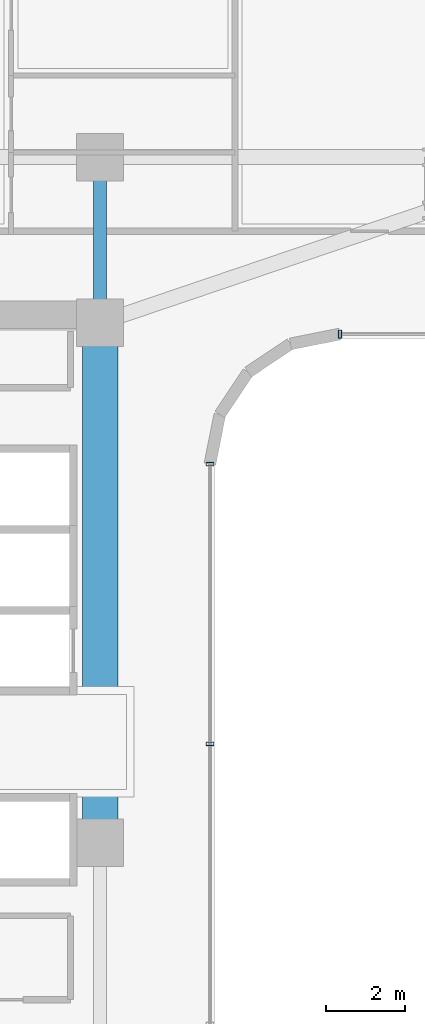
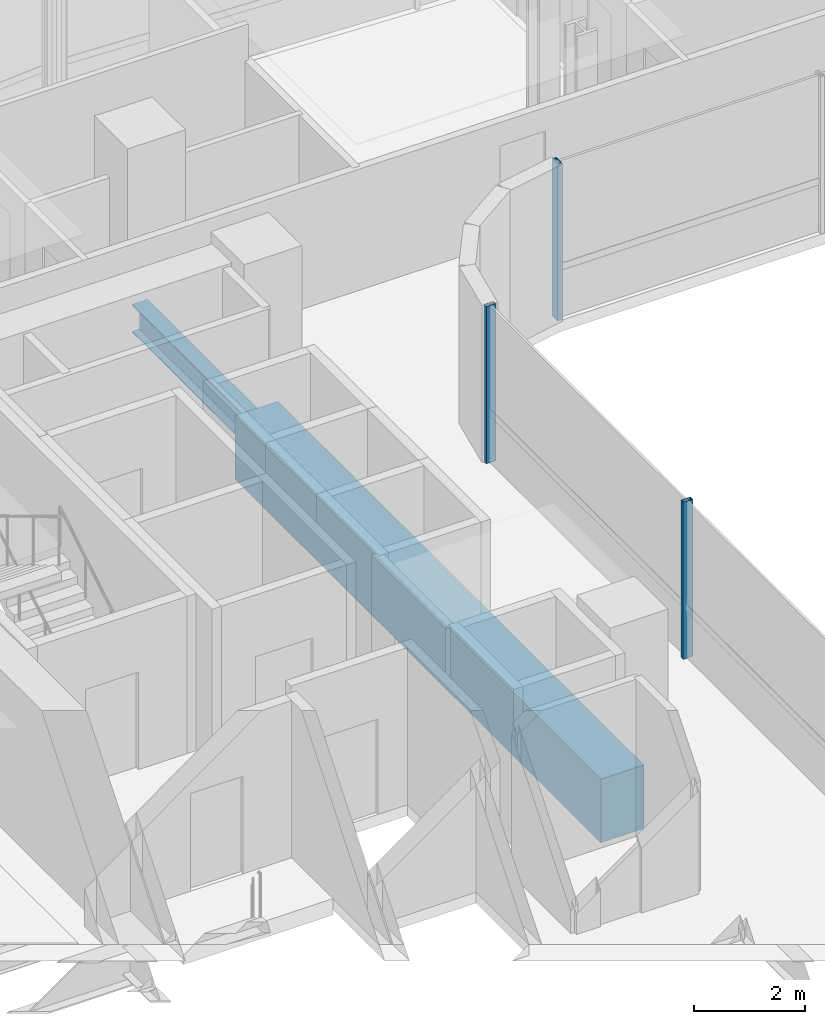
# One storey, part 11 of 37: 3 members, 2 beams, 2 elements without a shape of their own.
"""IFC4 building model written with IfcOpenShell, lengths in metres."""

from ifc_helpers import new_model, si_unit, direction, frame, origin, origin_2d, place, context, subcontext, project, spatial, rectangle, hollow_rectangle, i_section, extrude, source, transform, mapped, material, material_profile, profile_set, type_object, element, aggregate, save


model = new_model("IFC4")

# Units and contexts
model_context = context("Model", 3, precision=1e-05, world=origin(), true_north=direction((0.0, 1.0)))
body_context = subcontext(model_context, "Body", "Model", "MODEL_VIEW")
ifc_project = project(units=[si_unit("LENGTHUNIT", "METRE"), si_unit("AREAUNIT", "SQUARE_METRE"), si_unit("VOLUMEUNIT", "CUBIC_METRE"), si_unit("PLANEANGLEUNIT", "RADIAN"), si_unit("MASSUNIT", "GRAM", prefix="KILO")], contexts=[model_context])

# Site, building, storey
site_placement = place(None, origin())
site = spatial("IfcSite", under=ifc_project, at=site_placement, CompositionType="ELEMENT")
building_placement = place(site_placement, origin())
building = spatial("IfcBuilding", under=site, at=building_placement, Name="Valdorenza Pilgrim Sanctuary Tower", CompositionType="ELEMENT")
storey_placement = place(building_placement, frame((0.0, 0.0, 127.89990234375)))
storey = spatial("IfcBuildingStorey", under=building, at=storey_placement, Name="L32", CompositionType="ELEMENT", Elevation=127.89990234375)

# Beams
ifc_material_1 = material(Name="Concrete C60/75", Category="concrete")
ifc_material_profile_1 = material_profile(ifc_material_1, rectangle(XDim=0.89990234375, YDim=1.39990234375, at=origin_2d()), Name="RC 1400x900")
ifc_profile_set_1 = profile_set([ifc_material_profile_1], Name="Concrete C60/75")
beam_type_1 = type_object("IfcBeamType", Name="STR-BM-LNT-1400", PredefinedType="LINTEL", material=ifc_profile_set_1)
shared_shape_1 = source(origin(), body_context, "Body", "SweptSolid", [
    extrude(rectangle(XDim=0.89990234375, YDim=1.39990234375, at=origin_2d()), origin(), (0.0, 0.0, 1.0), 13.2001953125),
])
beam_1_placement = place(storey_placement, frame((-12.39990234375, -2.60009765625, -0.739990234375), z_axis=(0.0, 1.0, 0.0), x_axis=(-1.0, 0.0, 0.0)))
element("IfcBeam", 1, at=beam_1_placement, inside=storey, type_object=beam_type_1, Name="L32 Core A Coupling Lintel Girder", PredefinedType="LINTEL", context=body_context, shape_type="MappedRepresentation", body=[
    mapped(shared_shape_1, transform((0.0, 0.0, 0.0), x_axis=(1.0, 0.0, 0.0), y_axis=(0.0, 1.0, 0.0), z_axis=(0.0, 0.0, 1.0), scale=1.0)),
])
ifc_material_2 = material(Name="Steel ASTM A992 Grade 50", Category="steel")
ifc_material_profile_2 = material_profile(ifc_material_2, i_section(OverallWidth=0.323974609375, OverallDepth=0.611083984375, WebThickness=0.0126953125, FlangeThickness=0.01904296875, at=origin_2d()), Name="W24X104")
ifc_profile_set_2 = profile_set([ifc_material_profile_2], Name="Steel ASTM A992 Grade 50")
beam_type_2 = type_object("IfcBeamType", Name="STR-BM-GRD-W24B", PredefinedType="BEAM", material=ifc_profile_set_2)
shared_shape_2 = source(origin(), body_context, "Body", "SweptSolid", [
    extrude(i_section(OverallWidth=0.323974609375, OverallDepth=0.611083984375, WebThickness=0.0126953125, FlangeThickness=0.01904296875, at=origin_2d()), origin(), (0.0, 0.0, 1.0), 4.199951171875),
])
beam_2_placement = place(storey_placement, frame((-12.39990234375, 10.60009765625, -0.54541015625), z_axis=(0.0, 1.0, 0.0), x_axis=(-1.0, 0.0, 0.0)))
element("IfcBeam", 2, at=beam_2_placement, inside=storey, type_object=beam_type_2, Name="L32 Core Tie Girder CA-E-N1N2", PredefinedType="BEAM", context=body_context, shape_type="MappedRepresentation", body=[
    mapped(shared_shape_2, transform((0.0, 0.0, 0.0), x_axis=(1.0, 0.0, 0.0), y_axis=(0.0, 1.0, 0.0), z_axis=(0.0, 0.0, 1.0), scale=1.0)),
])

# Curtain wall, member
ifc_material_3 = material(Name="Curtain-wall IGU glazing", Category="glass")
curtain_wall_type = type_object("IfcCurtainWallType", Name="CW-SYS-02", PredefinedType="NOTDEFINED", material=ifc_material_3)
curtain_wall_1_placement = place(storey_placement, origin())
curtain_wall_1 = element("IfcCurtainWall", 3, at=curtain_wall_1_placement, inside=storey, type_object=curtain_wall_type, Name="L32 Curtain Wall CW-L32-1-36", PredefinedType="NOTDEFINED")
ifc_material_4 = material(Name="Anodised aluminium AW-6060", Category="aluminium")
ifc_material_profile_3 = material_profile(ifc_material_4, hollow_rectangle(XDim=0.0849609375, YDim=0.199951171875, WallThickness=0.0048828125, at=origin_2d()), Name="ALU-M 200x85x5")
ifc_profile_set_3 = profile_set([ifc_material_profile_3], Name="Anodised aluminium AW-6060")
member_type = type_object("IfcMemberType", Name="CW-MUL-02", PredefinedType="MULLION", material=ifc_profile_set_3)
shared_shape_3 = source(origin(), body_context, "Body", "SweptSolid", [
    extrude(hollow_rectangle(XDim=0.0849609375, YDim=0.199951171875, WallThickness=0.0048828125, at=origin_2d()), origin(), (0.0, 0.0, 1.0), 3.460205078125),
])
member_1_placement = place(storey_placement, frame((-6.310791015625, 10.31005859375, 0.0), z_axis=(0.0, 0.0, 1.0), x_axis=(-1.0, 0.0, 0.0)))
member_1 = element("IfcMember", 4, at=member_1_placement, type_object=member_type, Name="CW-L32-1-36 Mullion 4", PredefinedType="MULLION", context=body_context, shape_type="MappedRepresentation", body=[
    mapped(shared_shape_3, transform((0.0, 0.0, 0.0), x_axis=(1.0, 0.0, 0.0), y_axis=(0.0, 1.0, 0.0), z_axis=(0.0, 0.0, 1.0), scale=1.0)),
])
aggregate(curtain_wall_1, [member_1])

# Curtain wall, members
curtain_wall_2_placement = place(storey_placement, origin())
curtain_wall_2 = element("IfcCurtainWall", 5, at=curtain_wall_2_placement, inside=storey, type_object=curtain_wall_type, Name="L32 Curtain Wall CW-L32-1-41", PredefinedType="NOTDEFINED")
member_2_placement = place(storey_placement, frame((-9.610107421875, 7.0107421875, 0.0), z_axis=(0.0, 0.0, 1.0), x_axis=(0.0, -1.0, 0.0)))
member_2 = element("IfcMember", 6, at=member_2_placement, type_object=member_type, Name="CW-L32-1-41 Mullion 1", PredefinedType="MULLION", context=body_context, shape_type="MappedRepresentation", body=[
    mapped(shared_shape_3, transform((0.0, 0.0, 0.0), x_axis=(1.0, 0.0, 0.0), y_axis=(0.0, 1.0, 0.0), z_axis=(0.0, 0.0, 1.0), scale=1.0)),
])
member_3_placement = place(storey_placement, frame((-9.610107421875, -0.089111328125, 0.0), z_axis=(0.0, 0.0, 1.0), x_axis=(0.0, -1.0, 0.0)))
member_3 = element("IfcMember", 7, at=member_3_placement, type_object=member_type, Name="CW-L32-1-41 Mullion 2", PredefinedType="MULLION", context=body_context, shape_type="MappedRepresentation", body=[
    mapped(shared_shape_3, transform((0.0, 0.0, 0.0), x_axis=(1.0, 0.0, 0.0), y_axis=(0.0, 1.0, 0.0), z_axis=(0.0, 0.0, 1.0), scale=1.0)),
])
aggregate(curtain_wall_2, [member_2, member_3])

save(model, "model.ifc")
